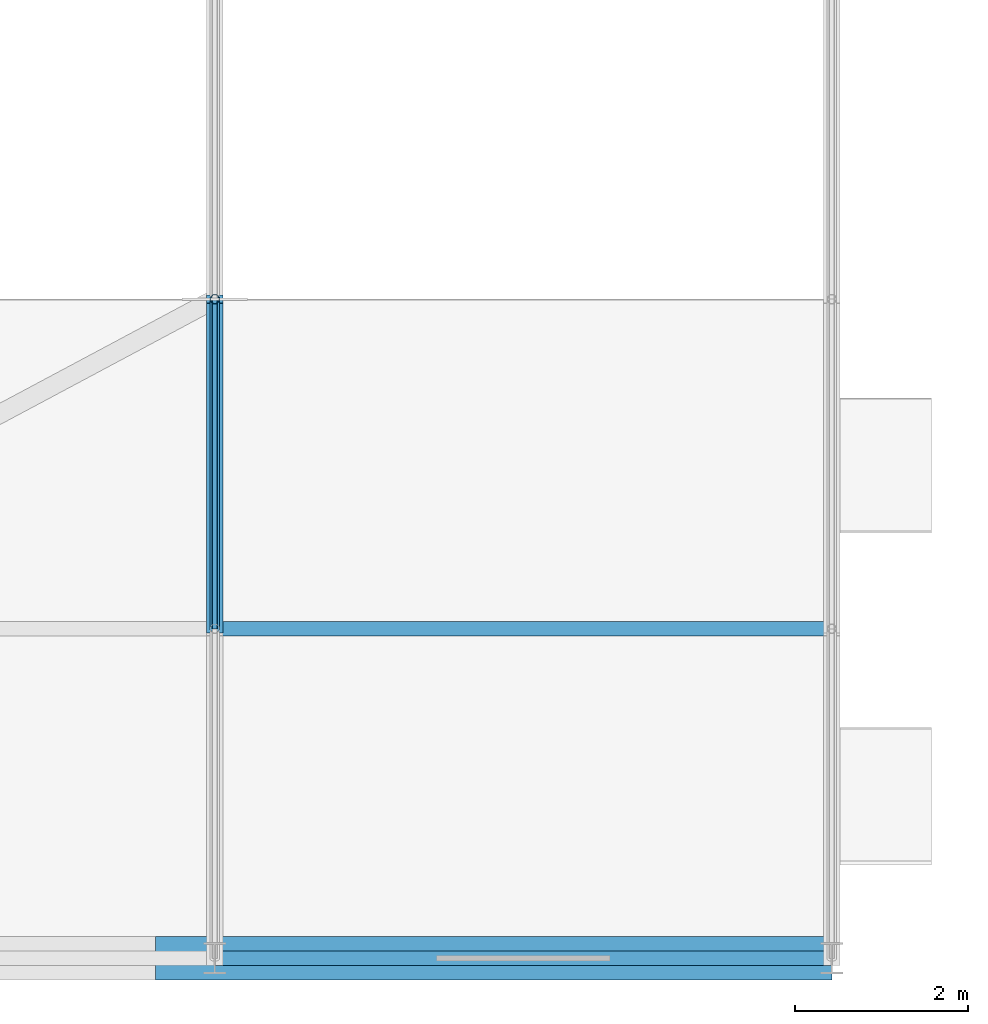
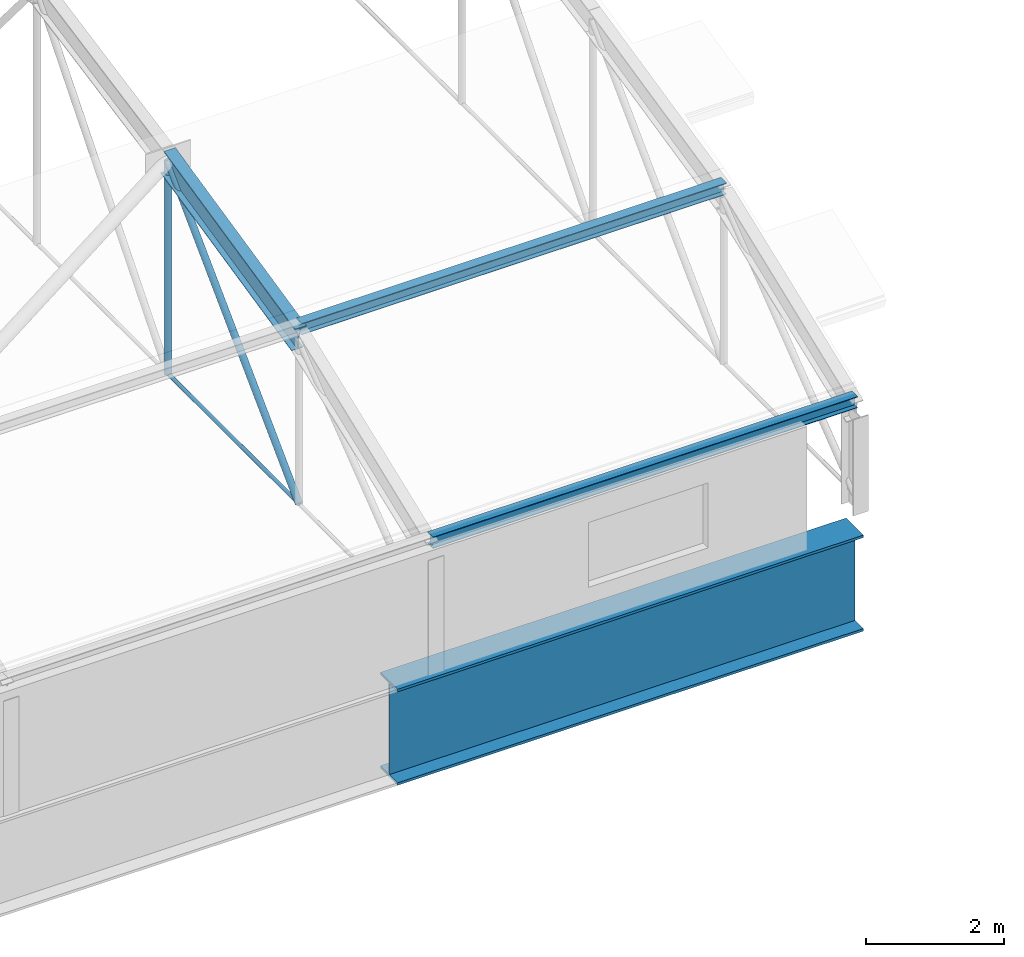
# One storey, part 15 of 53: 5 members, 2 beams.
"""IFC4 building model written with IfcOpenShell, lengths in metres."""

from ifc_helpers import new_model, si_unit, direction, frame, origin_with_axes, origin_2d_with_axis, place, context, subcontext, project, spatial, circle, hollow_circle, i_section, extrude, material, material_profile, profile_set, type_object, element, save


model = new_model("IFC4")

# Units and contexts
model_context = context("Model", 3, precision=1e-05, world=origin_with_axes(), true_north=direction((0.0, 1.0)))
body_context = subcontext(model_context, "Body", "Model", "MODEL_VIEW")
ifc_project = project(units=[si_unit("LENGTHUNIT", "METRE"), si_unit("AREAUNIT", "SQUARE_METRE"), si_unit("VOLUMEUNIT", "CUBIC_METRE"), si_unit("PLANEANGLEUNIT", "RADIAN"), si_unit("MASSUNIT", "GRAM", prefix="KILO"), si_unit("THERMODYNAMICTEMPERATUREUNIT", "KELVIN")], contexts=[model_context])

# Site, building, storey
site_placement = place(None, origin_with_axes())
site = spatial("IfcSite", under=ifc_project, at=site_placement, CompositionType="ELEMENT")
building_placement = place(site_placement, origin_with_axes())
building = spatial("IfcBuilding", under=site, at=building_placement, Name="Montbau Bow Law Courts", CompositionType="ELEMENT")
storey_placement = place(building_placement, frame((0.0, 0.0, 39.0), z_axis=(0.0, 0.0, 1.0), x_axis=(1.0, 0.0, 0.0)))
storey = spatial("IfcBuildingStorey", under=building, at=storey_placement, Name="L08", CompositionType="ELEMENT", Elevation=39.0)

# Beams
ifc_material = material(Name="Steel CSA G40.21 Grade 350WT (350 MPa)", Category="steel")
ifc_material_profile_1 = material_profile(ifc_material, i_section(OverallWidth=0.191, OverallDepth=0.46, WebThickness=0.0099, FlangeThickness=0.016, at=origin_2d_with_axis()), Name="W460X82", Category="Main", Priority=0)
ifc_profile_set_1 = profile_set([ifc_material_profile_1], Name="Steel CSA G40.21 Grade 350WT (350 MPa)")
beam_type_1 = type_object("IfcBeamType", Name="B-ARC-02", PredefinedType="USERDEFINED", material=ifc_profile_set_1)
beam_1_placement = place(None, frame((97.886, 42.8, 42.178), z_axis=(0.0, 0.97610237, 0.217311212), x_axis=(-1.0, 0.0, 0.0)))
element("IfcBeam", 1, at=beam_1_placement, inside=storey, type_object=beam_type_1, Name="Barrel vault roof truss arch rib V3-134", ObjectType="ARCH_RIB", PredefinedType="USERDEFINED", context=body_context, shape_type="SweptSolid", body=[
    extrude(i_section(OverallWidth=0.191, OverallDepth=0.46, WebThickness=0.0099, FlangeThickness=0.016, at=origin_2d_with_axis()), origin_with_axes(), (0.0, 0.0, 1.0), 3.893034),
])
ifc_material_profile_2 = material_profile(ifc_material, i_section(OverallWidth=0.5, OverallDepth=1.7, WebThickness=0.02, FlangeThickness=0.045, at=origin_2d_with_axis()), Name="WWF1700X480", Category="Main", Priority=0)
ifc_profile_set_2 = profile_set([ifc_material_profile_2], Name="Steel CSA G40.21 Grade 350WT (350 MPa)")
beam_type_2 = type_object("IfcBeamType", Name="B-TRG-02", PredefinedType="USERDEFINED", material=ifc_profile_set_2)
beam_2_placement = place(None, frame((97.2, 39.0, 37.81), z_axis=(1.0, 0.0, 0.0), x_axis=(0.0, 1.0, 0.0)))
element("IfcBeam", 2, at=beam_2_placement, inside=storey, type_object=beam_type_2, Name="VRG-L08-S0024:bm2_0027", ObjectType="GIRDER", PredefinedType="USERDEFINED", context=body_context, shape_type="SweptSolid", body=[
    extrude(i_section(OverallWidth=0.5, OverallDepth=1.7, WebThickness=0.02, FlangeThickness=0.045, at=origin_2d_with_axis()), origin_with_axes(), (0.0, 0.0, 1.0), 7.8),
])

# Members
ifc_material_profile_3 = material_profile(ifc_material, i_section(OverallWidth=0.165, OverallDepth=0.201, WebThickness=0.0062, FlangeThickness=0.0102, at=origin_2d_with_axis()), Name="W200X36", Category="Main", Priority=0)
ifc_profile_set_3 = profile_set([ifc_material_profile_3], Name="Steel CSA G40.21 Grade 350WT (350 MPa)")
member_type_1 = type_object("IfcMemberType", Name="M-PUR-02", PredefinedType="PURLIN", material=ifc_profile_set_3)
for number, where, z_axis, x_axis, name in (
    (3, (97.886, 39.0, 40.91), (1.0, 0.0, 0.0), (0.0, 1.0, 0.0), "Barrel vault roof truss purlin V3-141"),
    (4, (97.886, 42.8, 42.388), (1.0, 0.0, 0.0), (0.0, 1.0, 0.0), "Barrel vault roof truss purlin V3-142"),
):
    element("IfcMember", number, at=place(None, frame(where, z_axis=z_axis, x_axis=x_axis)), inside=storey, type_object=member_type_1, Name=name, PredefinedType="PURLIN", context=body_context, shape_type="SweptSolid", body=[
        extrude(i_section(OverallWidth=0.165, OverallDepth=0.201, WebThickness=0.0062, FlangeThickness=0.0102, at=origin_2d_with_axis()), origin_with_axes(), (0.0, 0.0, 1.0), 7.114),
    ])
ifc_material_profile_4 = material_profile(ifc_material, hollow_circle(Radius=0.057, WallThickness=0.008, at=origin_2d_with_axis()), Name="HSS114X8.0", Category="Main", Priority=0)
ifc_profile_set_4 = profile_set([ifc_material_profile_4], Name="Steel CSA G40.21 Grade 350WT (350 MPa)")
member_type_2 = type_object("IfcMemberType", Name="M-STR-03", PredefinedType="STRUT", material=ifc_profile_set_4)
member_1_placement = place(None, frame((97.886, 42.8, 39.25), z_axis=(0.0, 0.709529954, 0.704675276), x_axis=(-1.0, 0.0, 0.0)))
element("IfcMember", 5, at=member_1_placement, inside=storey, type_object=member_type_2, Name="Barrel vault roof truss web diagonal V3-07-2", PredefinedType="STRUT", context=body_context, shape_type="SweptSolid", body=[
    extrude(hollow_circle(Radius=0.057, WallThickness=0.008, at=origin_2d_with_axis()), origin_with_axes(), (0.0, 0.0, 1.0), 5.355658),
])
member_2_placement = place(None, frame((97.886, 46.6, 39.25), z_axis=(0.0, 0.0, 1.0), x_axis=(1.0, 0.0, 0.0)))
element("IfcMember", 6, at=member_2_placement, inside=storey, type_object=member_type_2, Name="Barrel vault roof truss web post V3-07-2", PredefinedType="STRUT", context=body_context, shape_type="SweptSolid", body=[
    extrude(hollow_circle(Radius=0.057, WallThickness=0.008, at=origin_2d_with_axis()), origin_with_axes(), (0.0, 0.0, 1.0), 3.774),
])
ifc_material_profile_5 = material_profile(ifc_material, circle(Radius=0.032, at=origin_2d_with_axis()), Name="ROD64", Category="Main", Priority=0)
ifc_profile_set_5 = profile_set([ifc_material_profile_5], Name="Steel CSA G40.21 Grade 350WT (350 MPa)")
member_type_3 = type_object("IfcMemberType", Name="M-TIE-02", PredefinedType="USERDEFINED", material=ifc_profile_set_5)
member_3_placement = place(None, frame((97.886, 42.8, 39.25), z_axis=(0.0, 1.0, 0.0), x_axis=(-1.0, 0.0, 0.0)))
element("IfcMember", 7, at=member_3_placement, inside=storey, type_object=member_type_3, Name="Barrel vault roof truss tie V3-134", ObjectType="TIEBAR", PredefinedType="USERDEFINED", context=body_context, shape_type="SweptSolid", body=[
    extrude(circle(Radius=0.032, at=origin_2d_with_axis()), origin_with_axes(), (0.0, 0.0, 1.0), 3.8),
])

save(model, "model.ifc")
